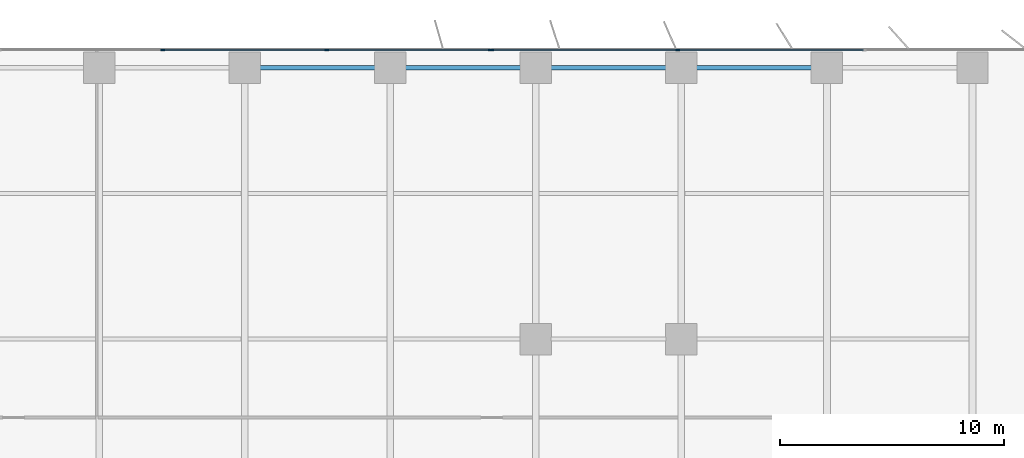
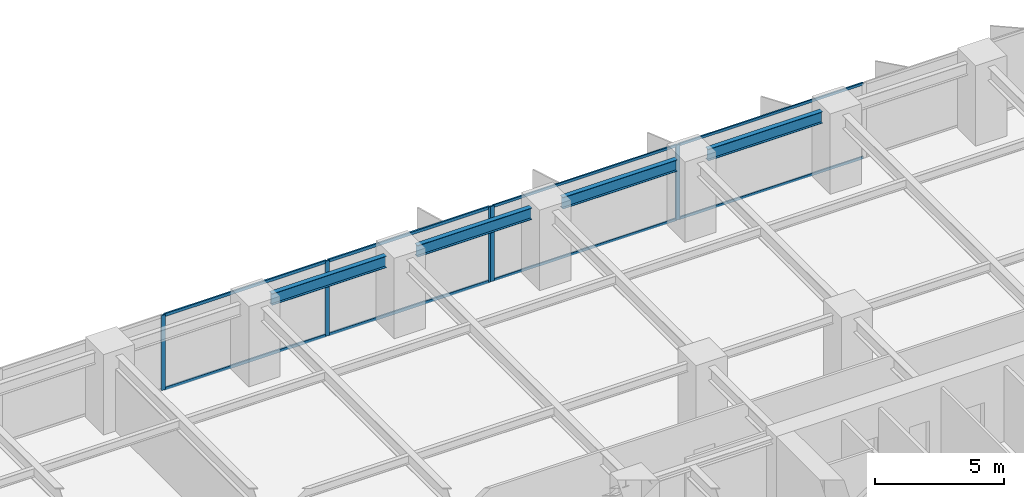
# One storey, part 9 of 20: 13 members, 4 beams, 2 elements without a shape of their own.
"""IFC4 building model written with IfcOpenShell, lengths in metres."""

from ifc_helpers import new_model, si_unit, direction, frame, origin, origin_2d, place, context, subcontext, project, spatial, rectangle, i_section, extrude, material, layer, layer_set, material_profile, profile_set, type_object, element, aggregate, save


model = new_model("IFC4")

# Units and contexts
model_context = context("Model", 3, precision=1e-05, world=origin(), true_north=direction((0.0, 1.0)))
body_context = subcontext(model_context, "Body", "Model", "MODEL_VIEW")
ifc_project = project(units=[si_unit("LENGTHUNIT", "METRE"), si_unit("AREAUNIT", "SQUARE_METRE"), si_unit("VOLUMEUNIT", "CUBIC_METRE"), si_unit("PLANEANGLEUNIT", "RADIAN"), si_unit("MASSUNIT", "GRAM", prefix="KILO")], contexts=[model_context])

# Site, building, storey
site_placement = place(None, origin())
site = spatial("IfcSite", under=ifc_project, at=site_placement, CompositionType="ELEMENT")
building_placement = place(site_placement, origin())
building = spatial("IfcBuilding", under=site, at=building_placement, Name="Putna Gate Headquarters", CompositionType="ELEMENT")
storey_placement = place(building_placement, frame((0.0, 0.0, 31.60009765625)))
storey = spatial("IfcBuildingStorey", under=building, at=storey_placement, Name="L06", CompositionType="ELEMENT", Elevation=31.60009765625)

# Beams
ifc_material_1 = material(Name="Steel S355J2", Category="steel")
ifc_material_profile_1 = material_profile(ifc_material_1, i_section(OverallWidth=0.2099609375, OverallDepth=0.550048828125, WebThickness=0.010986328125, FlangeThickness=0.01708984375, at=origin_2d()), Name="Steel S355J2")
ifc_profile_set_1 = profile_set([ifc_material_profile_1], Name="Steel S355J2")
beam_type = type_object("IfcBeamType", Name="BM-SPAN-Z1-IPE550", PredefinedType="SPANDREL", material=ifc_profile_set_1)
for number, where, z_axis, x_axis, name in (
    (1, (39.68798828125, 51.1201171875, 3.27490234375), (1.0, 0.0, 0.0), (0.0, 1.0, 0.0), "L06 N Perimeter Spandrel 6"),
    (2, (46.18798828125, 51.1201171875, 3.27490234375), (1.0, 0.0, 0.0), (0.0, 1.0, 0.0), "L06 N Perimeter Spandrel 7"),
    (3, (52.68798828125, 51.1201171875, 3.27490234375), (1.0, 0.0, 0.0), (0.0, 1.0, 0.0), "L06 N Perimeter Spandrel 8"),
    (4, (59.18798828125, 51.1201171875, 3.27490234375), (1.0, 0.0, 0.0), (0.0, 1.0, 0.0), "L06 N Perimeter Spandrel 9"),
):
    element("IfcBeam", number, at=place(storey_placement, frame(where, z_axis=z_axis, x_axis=x_axis)), inside=storey, type_object=beam_type, Name=name, PredefinedType="SPANDREL", context=body_context, shape_type="SweptSolid", body=[
        extrude(i_section(OverallWidth=0.2099609375, OverallDepth=0.550048828125, WebThickness=0.010986328125, FlangeThickness=0.01708984375, at=origin_2d()), origin(), (0.0, 0.0, 1.0), 5.1240234375),
    ])

# Curtain wall, members
ifc_material_2 = material(Name="Anodised bronze aluminium curtain wall", Category="aluminium")
ifc_layer_1 = layer(ifc_material_2, 0.179931640625)
ifc_layer_set_1 = layer_set([ifc_layer_1], Name="Anodised bronze aluminium curtain wall")
curtain_wall_type_1 = type_object("IfcCurtainWallType", Name="CW-SYS-Z1", PredefinedType="USERDEFINED", material=ifc_layer_set_1)
curtain_wall_1_placement = place(storey_placement, origin())
curtain_wall_1 = element("IfcCurtainWall", 5, at=curtain_wall_1_placement, inside=storey, type_object=curtain_wall_type_1, Name="L06 North East Curtain Wall", ObjectType="STICK CURTAIN WALL", PredefinedType="USERDEFINED")
ifc_material_3 = material(Name="Anodised bronze aluminium EN AW-6060", Category="aluminium")
ifc_material_profile_2 = material_profile(ifc_material_3, rectangle(XDim=0.070068359375, YDim=0.179931640625, at=origin_2d()), Name="Anodised bronze aluminium EN AW-6060")
ifc_profile_set_2 = profile_set([ifc_material_profile_2], Name="Anodised bronze aluminium EN AW-6060")
member_type_1 = type_object("IfcMemberType", Name="MULL-CWM-1", PredefinedType="MULLION", material=ifc_profile_set_2)
member_1_placement = place(storey_placement, frame((50.034912109375, 51.919921875, 0.0), z_axis=(0.0, 0.0, 1.0), x_axis=(0.0, 1.0, 0.0)))
member_1 = element("IfcMember", 6, at=member_1_placement, type_object=member_type_1, Name="CWS-1 mullion 1", PredefinedType="MULLION", context=body_context, shape_type="SweptSolid", body=[
    extrude(rectangle(XDim=0.070068359375, YDim=0.179931640625, at=origin_2d()), origin(), (0.0, 0.0, 1.0), 3.5498046875),
])
member_2_placement = place(storey_placement, frame((58.333251953125, 51.919921875, 0.0), z_axis=(0.0, 0.0, 1.0), x_axis=(0.0, 1.0, 0.0)))
member_2 = element("IfcMember", 7, at=member_2_placement, type_object=member_type_1, Name="CWS-1 mullion 2", PredefinedType="MULLION", context=body_context, shape_type="SweptSolid", body=[
    extrude(rectangle(XDim=0.070068359375, YDim=0.179931640625, at=origin_2d()), origin(), (0.0, 0.0, 1.0), 3.5498046875),
])

ifc_layer_2 = layer(ifc_material_2, 0.179931640625)
ifc_layer_set_2 = layer_set([ifc_layer_2], Name="Anodised bronze aluminium curtain wall")
curtain_wall_type_2 = type_object("IfcCurtainWallType", Name="CW-SYS-ATR", PredefinedType="USERDEFINED", material=ifc_layer_set_2)
curtain_wall_2_placement = place(storey_placement, origin())
curtain_wall_2 = element("IfcCurtainWall", 8, at=curtain_wall_2_placement, inside=storey, type_object=curtain_wall_type_2, Name="L06 North Atrium Clear Glazing", ObjectType="ATRIUM GLAZING", PredefinedType="USERDEFINED")
ifc_material_profile_3 = material_profile(ifc_material_3, rectangle(XDim=0.070068359375, YDim=0.179931640625, at=origin_2d()), Name="Anodised bronze aluminium EN AW-6060")
ifc_profile_set_3 = profile_set([ifc_material_profile_3], Name="Anodised bronze aluminium EN AW-6060")
member_type_2 = type_object("IfcMemberType", Name="MULL-CWM-AT", PredefinedType="MULLION", material=ifc_profile_set_3)
member_3_placement = place(storey_placement, frame((35.333251953125, 51.919921875, 0.0), z_axis=(0.0, 0.0, 1.0), x_axis=(0.0, 1.0, 0.0)))
member_3 = element("IfcMember", 9, at=member_3_placement, type_object=member_type_2, Name="CWS-AT mullion 2", PredefinedType="MULLION", context=body_context, shape_type="SweptSolid", body=[
    extrude(rectangle(XDim=0.070068359375, YDim=0.179931640625, at=origin_2d()), origin(), (0.0, 0.0, 1.0), 3.5498046875),
])
member_4_placement = place(storey_placement, frame((42.666748046875, 51.919921875, 0.0), z_axis=(0.0, 0.0, 1.0), x_axis=(0.0, 1.0, 0.0)))
member_4 = element("IfcMember", 10, at=member_4_placement, type_object=member_type_2, Name="CWS-AT mullion 3", PredefinedType="MULLION", context=body_context, shape_type="SweptSolid", body=[
    extrude(rectangle(XDim=0.070068359375, YDim=0.179931640625, at=origin_2d()), origin(), (0.0, 0.0, 1.0), 3.5498046875),
])
member_5_placement = place(storey_placement, frame((49.965087890625, 51.919921875, 0.0), z_axis=(0.0, 0.0, 1.0), x_axis=(0.0, 1.0, 0.0)))
member_5 = element("IfcMember", 11, at=member_5_placement, type_object=member_type_2, Name="CWS-AT mullion 4", PredefinedType="MULLION", context=body_context, shape_type="SweptSolid", body=[
    extrude(rectangle(XDim=0.070068359375, YDim=0.179931640625, at=origin_2d()), origin(), (0.0, 0.0, 1.0), 3.5498046875),
])

# Member
ifc_material_profile_4 = material_profile(ifc_material_3, rectangle(XDim=0.06494140625, YDim=0.1201171875, at=origin_2d()), Name="Anodised bronze aluminium EN AW-6060")
ifc_profile_set_4 = profile_set([ifc_material_profile_4], Name="Anodised bronze aluminium EN AW-6060")
member_type_3 = type_object("IfcMemberType", Name="TRAN-CWT-1", PredefinedType="USERDEFINED", material=ifc_profile_set_4)
member_6_placement = place(storey_placement, frame((50.070068359375, 51.919921875, 0.032470703125), z_axis=(1.0, 0.0, 0.0), x_axis=(0.0, 1.0, 0.0)))
member_6 = element("IfcMember", 12, at=member_6_placement, type_object=member_type_3, Name="CWS-1 transom 1.1", ObjectType="TRANSOM", PredefinedType="USERDEFINED", context=body_context, shape_type="SweptSolid", body=[
    extrude(rectangle(XDim=0.06494140625, YDim=0.1201171875, at=origin_2d()), origin(), (0.0, 0.0, 1.0), 8.228271484375),
])

member_7_placement = place(storey_placement, frame((50.070068359375, 51.919921875, 3.517333984375), z_axis=(1.0, 0.0, 0.0), x_axis=(0.0, 1.0, 0.0)))
member_7 = element("IfcMember", 13, at=member_7_placement, type_object=member_type_3, Name="CWS-1 transom 1.2", ObjectType="TRANSOM", PredefinedType="USERDEFINED", context=body_context, shape_type="SweptSolid", body=[
    extrude(rectangle(XDim=0.06494140625, YDim=0.1201171875, at=origin_2d()), origin(), (0.0, 0.0, 1.0), 8.228271484375),
])

member_8_placement = place(storey_placement, frame((58.368408203125, 51.919921875, 0.032470703125), z_axis=(1.0, 0.0, 0.0), x_axis=(0.0, 1.0, 0.0)))
member_8 = element("IfcMember", 14, at=member_8_placement, type_object=member_type_3, Name="CWS-1 transom 2.1", ObjectType="TRANSOM", PredefinedType="USERDEFINED", context=body_context, shape_type="SweptSolid", body=[
    extrude(rectangle(XDim=0.06494140625, YDim=0.1201171875, at=origin_2d()), origin(), (0.0, 0.0, 1.0), 8.26318359375),
])

member_9_placement = place(storey_placement, frame((58.368408203125, 51.919921875, 3.517333984375), z_axis=(1.0, 0.0, 0.0), x_axis=(0.0, 1.0, 0.0)))
member_9 = element("IfcMember", 15, at=member_9_placement, type_object=member_type_3, Name="CWS-1 transom 2.2", ObjectType="TRANSOM", PredefinedType="USERDEFINED", context=body_context, shape_type="SweptSolid", body=[
    extrude(rectangle(XDim=0.06494140625, YDim=0.1201171875, at=origin_2d()), origin(), (0.0, 0.0, 1.0), 8.26318359375),
])

aggregate(curtain_wall_1, [member_1, member_2, member_6, member_7, member_8, member_9])

ifc_material_profile_5 = material_profile(ifc_material_3, rectangle(XDim=0.070068359375, YDim=0.139892578125, at=origin_2d()), Name="Anodised bronze aluminium EN AW-6060")
ifc_profile_set_5 = profile_set([ifc_material_profile_5], Name="Anodised bronze aluminium EN AW-6060")
member_type_4 = type_object("IfcMemberType", Name="TRAN-CWT-AT", PredefinedType="USERDEFINED", material=ifc_profile_set_5)
member_10_placement = place(storey_placement, frame((35.368408203125, 51.919921875, 0.034912109375), z_axis=(1.0, 0.0, 0.0), x_axis=(0.0, 1.0, 0.0)))
member_10 = element("IfcMember", 16, at=member_10_placement, type_object=member_type_4, Name="CWS-AT transom 2.1", ObjectType="TRANSOM", PredefinedType="USERDEFINED", context=body_context, shape_type="SweptSolid", body=[
    extrude(rectangle(XDim=0.070068359375, YDim=0.139892578125, at=origin_2d()), origin(), (0.0, 0.0, 1.0), 7.26318359375),
])

member_11_placement = place(storey_placement, frame((35.368408203125, 51.919921875, 3.514892578125), z_axis=(1.0, 0.0, 0.0), x_axis=(0.0, 1.0, 0.0)))
member_11 = element("IfcMember", 17, at=member_11_placement, type_object=member_type_4, Name="CWS-AT transom 2.2", ObjectType="TRANSOM", PredefinedType="USERDEFINED", context=body_context, shape_type="SweptSolid", body=[
    extrude(rectangle(XDim=0.070068359375, YDim=0.139892578125, at=origin_2d()), origin(), (0.0, 0.0, 1.0), 7.26318359375),
])

member_12_placement = place(storey_placement, frame((42.70166015625, 51.919921875, 0.034912109375), z_axis=(1.0, 0.0, 0.0), x_axis=(0.0, 1.0, 0.0)))
member_12 = element("IfcMember", 18, at=member_12_placement, type_object=member_type_4, Name="CWS-AT transom 3.1", ObjectType="TRANSOM", PredefinedType="USERDEFINED", context=body_context, shape_type="SweptSolid", body=[
    extrude(rectangle(XDim=0.070068359375, YDim=0.139892578125, at=origin_2d()), origin(), (0.0, 0.0, 1.0), 7.228271484375),
])

member_13_placement = place(storey_placement, frame((42.70166015625, 51.919921875, 3.514892578125), z_axis=(1.0, 0.0, 0.0), x_axis=(0.0, 1.0, 0.0)))
member_13 = element("IfcMember", 19, at=member_13_placement, type_object=member_type_4, Name="CWS-AT transom 3.2", ObjectType="TRANSOM", PredefinedType="USERDEFINED", context=body_context, shape_type="SweptSolid", body=[
    extrude(rectangle(XDim=0.070068359375, YDim=0.139892578125, at=origin_2d()), origin(), (0.0, 0.0, 1.0), 7.228271484375),
])

aggregate(curtain_wall_2, [member_3, member_4, member_5, member_10, member_11, member_12, member_13])

save(model, "model.ifc")
